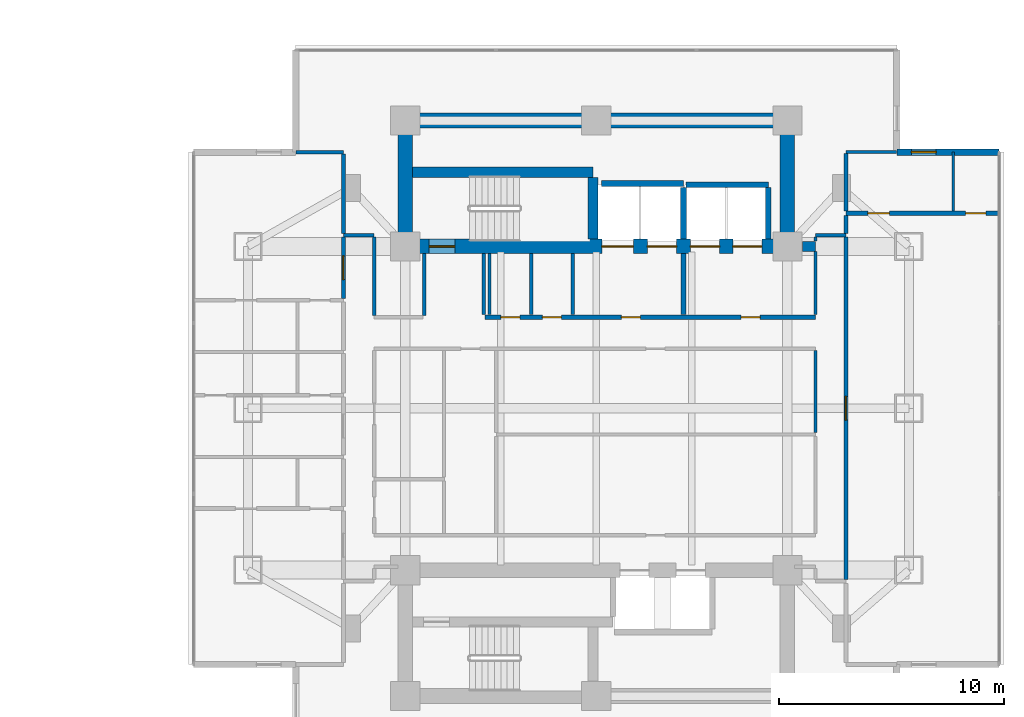
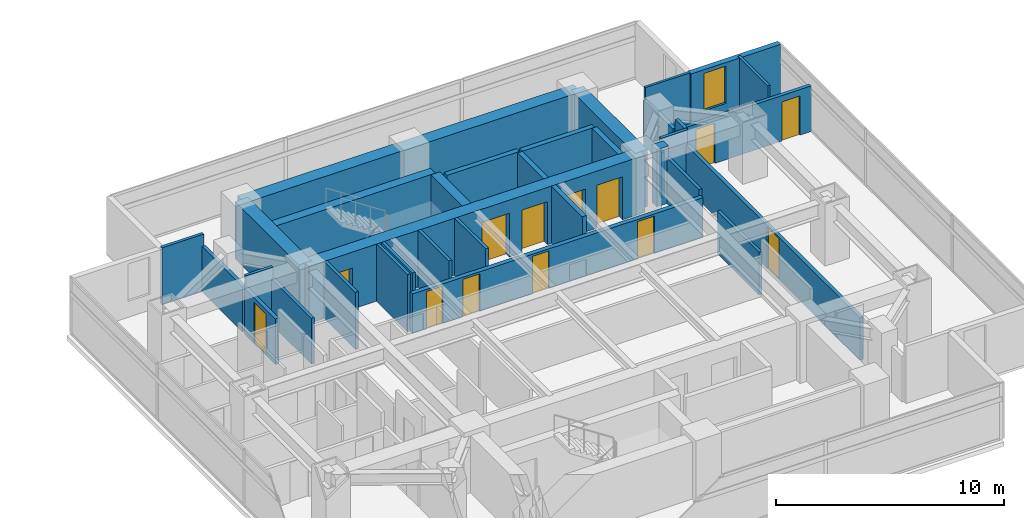
# One storey, part 18 of 25: 34 walls, 13 doors, 1 window, 14 openings.
"""IFC4 building model written with IfcOpenShell, lengths in metres."""

from ifc_helpers import new_model, si_unit, direction, frame, frame_2d, origin, place, context, subcontext, project, spatial, rectangle, extrude, material, layer, layer_set, type_object, element, fill, save


model = new_model("IFC4")

# Units and contexts
model_context = context("Model", 3, precision=1e-05, world=origin(), true_north=direction((0.0, 1.0)))
body_context = subcontext(model_context, "Body", "Model", "MODEL_VIEW")
ifc_project = project(units=[si_unit("LENGTHUNIT", "METRE"), si_unit("AREAUNIT", "SQUARE_METRE"), si_unit("VOLUMEUNIT", "CUBIC_METRE"), si_unit("PLANEANGLEUNIT", "RADIAN"), si_unit("MASSUNIT", "GRAM", prefix="KILO")], contexts=[model_context])

# Site, building, storey
site_placement = place(None, origin())
site = spatial("IfcSite", under=ifc_project, at=site_placement, CompositionType="ELEMENT")
building_placement = place(site_placement, origin())
building = spatial("IfcBuilding", under=site, at=building_placement, Name="Mirazonda Arch Towers", CompositionType="ELEMENT")
storey_placement = place(building_placement, frame((0.0, 0.0, 58.699951171875)))
storey = spatial("IfcBuildingStorey", under=building, at=storey_placement, Name="L16", CompositionType="ELEMENT", Elevation=58.699951171875)

# Walls
ifc_material_1 = material(Name="Concrete C50/60", Category="concrete")
ifc_layer_1 = layer(ifc_material_1, 0.449951171875, Name="WALL-CORE-450")
ifc_layer_set_1 = layer_set([ifc_layer_1], Name="Concrete C50/60")
wall_type_1 = type_object("IfcWallType", Name="WALL-CORE-450", PredefinedType="SHEAR", material=ifc_layer_set_1)
wall_1_placement = place(storey_placement, frame((85.6650390625, 35.199951171875, 0.0), z_axis=(0.0, 0.0, 1.0), x_axis=(1.0, 0.0, 0.0)))
element("IfcWall", 1, at=wall_1_placement, inside=storey, type_object=wall_type_1, Name="L16 Stair Core Shear Wall 045", PredefinedType="SHEAR", context=body_context, shape_type="SweptSolid", body=[
    extrude(rectangle(XDim=0.5849609375, YDim=0.449951171875, at=frame_2d((0.29248046875, 0.0))), origin(), (0.0, 0.0, 1.0), 3.06005859375),
])
wall_2_placement = place(storey_placement, frame((68.320068359375, 38.5, 0.0), z_axis=(0.0, 0.0, 1.0), x_axis=(1.0, 0.0, 0.0)))
element("IfcWall", 2, at=wall_2_placement, inside=storey, type_object=wall_type_1, Name="L16 Stair Core Shear Wall 052", PredefinedType="SHEAR", context=body_context, shape_type="SweptSolid", body=[
    extrude(rectangle(XDim=8.0400390625, YDim=0.449951171875, at=frame_2d((4.02001953125, 0.0))), origin(), (0.0, 0.0, 1.0), 3.06005859375),
])
wall_3_placement = place(storey_placement, frame((76.360107421875, 35.52001953125, 0.0), z_axis=(0.0, 0.0, 1.0), x_axis=(0.0, 1.0, 0.0)))
element("IfcWall", 3, at=wall_3_placement, inside=storey, type_object=wall_type_1, Name="L16 Stair Core Shear Wall 142", PredefinedType="SHEAR", context=body_context, shape_type="SweptSolid", body=[
    extrude(rectangle(XDim=2.744873046875, YDim=0.449951171875, at=frame_2d((1.37255859375, 0.0))), origin(), (0.0, 0.0, 1.0), 3.06005859375),
])
ifc_material_2 = material(Name="Concrete C60/75", Category="concrete")
ifc_layer_2 = layer(ifc_material_2, 0.64990234375, Name="WALL-CORE-650")
ifc_layer_set_2 = layer_set([ifc_layer_2], Name="Concrete C60/75")
wall_type_2 = type_object("IfcWallType", Name="WALL-CORE-650", PredefinedType="SHEAR", material=ifc_layer_set_2)
wall_4_placement = place(storey_placement, frame((68.0, 40.800048828125, 0.0), z_axis=(0.0, 0.0, 1.0), x_axis=(1.0, 0.0, 0.0)))
element("IfcWall", 4, at=wall_4_placement, inside=storey, type_object=wall_type_2, Name="L16 T2N-N Core Shear Wall", PredefinedType="SHEAR", context=body_context, shape_type="SweptSolid", body=[
    extrude(rectangle(XDim=17.0, YDim=0.64990234375, at=frame_2d((8.5, 0.0))), origin(), (0.0, 0.0, 1.0), 3.06005859375),
])
for number, where, z_axis, x_axis, name in (
    (5, (68.0, 35.199951171875, 0.0), (0.0, 0.0, 1.0), (0.0, 1.0, 0.0), "L16 T2N-W Core Shear Wall"),
    (6, (85.0, 35.199951171875, 0.0), (0.0, 0.0, 1.0), (0.0, 1.0, 0.0), "L16 T2N-E Core Shear Wall"),
):
    element("IfcWall", number, at=place(storey_placement, frame(where, z_axis=z_axis, x_axis=x_axis)), inside=storey, type_object=wall_type_2, Name=name, PredefinedType="SHEAR", context=body_context, shape_type="SweptSolid", body=[
        extrude(rectangle(XDim=5.60009765625, YDim=0.64990234375, at=frame_2d((2.800048828125, 0.0))), origin(), (0.0, 0.0, 1.0), 3.06005859375),
    ])

# Wall, openings, doors
wall_5_placement = place(storey_placement, frame((68.0, 35.199951171875, 0.0), z_axis=(0.0, 0.0, 1.0), x_axis=(1.0, 0.0, 0.0)))
wall_5 = element("IfcWall", 7, at=wall_5_placement, inside=storey, type_object=wall_type_2, Name="L16 T2N-S Core Shear Wall", PredefinedType="SHEAR", context=body_context, shape_type="SweptSolid", body=[
    extrude(rectangle(XDim=17.0, YDim=0.64990234375, at=frame_2d((8.5, 0.0))), origin(), (0.0, 0.0, 1.0), 3.06005859375),
])
opening_1_placement = place(wall_5_placement, frame((1.06005859375, 0.0, 0.0)))
opening_1 = element("IfcOpeningElement", 8, at=opening_1_placement, cuts=wall_5, Name="Opening DR-135", PredefinedType="OPENING", context=body_context, shape_type="SweptSolid", body=[
    extrude(rectangle(XDim=1.14990234375, YDim=2.199951171875, at=frame_2d((0.574951171875, 1.10009765625))), frame((0.0, 0.3349609375, 0.0), z_axis=(0.0, -1.0, 0.0), x_axis=(1.0, 0.0, 0.0)), (0.0, 0.0, 1.0), 0.669921875),
])
opening_2_placement = place(wall_5_placement, frame((8.75, 0.0, 0.0)))
opening_2 = element("IfcOpeningElement", 9, at=opening_2_placement, cuts=wall_5, Name="Opening LD-112", PredefinedType="OPENING", context=body_context, shape_type="SweptSolid", body=[
    extrude(rectangle(XDim=1.39990234375, YDim=2.35009765625, at=frame_2d((0.699951171875, 1.175048828125))), frame((0.0, 0.3349609375, 0.0), z_axis=(0.0, -1.0, 0.0), x_axis=(1.0, 0.0, 0.0)), (0.0, 0.0, 1.0), 0.669921875),
])
opening_3_placement = place(wall_5_placement, frame((10.77001953125, 0.0, 0.0)))
opening_3 = element("IfcOpeningElement", 10, at=opening_3_placement, cuts=wall_5, Name="Opening LD-111", PredefinedType="OPENING", context=body_context, shape_type="SweptSolid", body=[
    extrude(rectangle(XDim=1.300048828125, YDim=2.300048828125, at=frame_2d((0.64990234375, 1.14990234375))), frame((0.0, 0.3349609375, 0.0), z_axis=(0.0, -1.0, 0.0), x_axis=(1.0, 0.0, 0.0)), (0.0, 0.0, 1.0), 0.669921875),
])
opening_4_placement = place(wall_5_placement, frame((12.68994140625, 0.0, 0.0)))
opening_4 = element("IfcOpeningElement", 11, at=opening_4_placement, cuts=wall_5, Name="Opening LD-111", PredefinedType="OPENING", context=body_context, shape_type="SweptSolid", body=[
    extrude(rectangle(XDim=1.300048828125, YDim=2.300048828125, at=frame_2d((0.64990234375, 1.14990234375))), frame((0.0, 0.3349609375, 0.0), z_axis=(0.0, -1.0, 0.0), x_axis=(1.0, 0.0, 0.0)), (0.0, 0.0, 1.0), 0.669921875),
])
opening_5_placement = place(wall_5_placement, frame((14.570068359375, 0.0, 0.0)))
opening_5 = element("IfcOpeningElement", 12, at=opening_5_placement, cuts=wall_5, Name="Opening LD-111", PredefinedType="OPENING", context=body_context, shape_type="SweptSolid", body=[
    extrude(rectangle(XDim=1.300048828125, YDim=2.300048828125, at=frame_2d((0.64990234375, 1.14990234375))), frame((0.0, 0.3349609375, 0.0), z_axis=(0.0, -1.0, 0.0), x_axis=(1.0, 0.0, 0.0)), (0.0, 0.0, 1.0), 0.669921875),
])
ifc_material_3 = material(Name="Architectural Brushed Steel S355", Category="steel")
door_type_1 = type_object("IfcDoorType", Name="DOOR-LIFT-FFL-1400", OperationType="NOTDEFINED", PredefinedType="DOOR", material=ifc_material_3)
door_1_placement = place(opening_2_placement, origin())
door_1 = element("IfcDoor", 13, at=door_1_placement, inside=storey, type_object=door_type_1, Name="L16 Lift Landing Sliding Door FFL-T2", OperationType="DOUBLE_DOOR_SLIDING", OverallHeight=2.35009765625, OverallWidth=1.39990234375, PredefinedType="DOOR", context=body_context, shape_type="SweptSolid", body=[
    extrude(rectangle(XDim=1.39990234375, YDim=2.35009765625, at=frame_2d((0.699951171875, 1.175048828125))), frame((0.0, 0.02490234375, 0.0), z_axis=(0.0, -1.0, 0.0), x_axis=(1.0, 0.0, 0.0)), (0.0, 0.0, 1.0), 0.050048828125),
])
fill(opening_2, door_1)
door_type_2 = type_object("IfcDoorType", Name="DOOR-LIFT-LAND-1300", OperationType="NOTDEFINED", PredefinedType="DOOR", material=ifc_material_3)
door_2_placement = place(opening_3_placement, origin())
door_2 = element("IfcDoor", 14, at=door_2_placement, inside=storey, type_object=door_type_2, Name="L16 Lift Landing Sliding Door SVL-T2", OperationType="DOUBLE_DOOR_SLIDING", OverallHeight=2.300048828125, OverallWidth=1.300048828125, PredefinedType="DOOR", context=body_context, shape_type="SweptSolid", body=[
    extrude(rectangle(XDim=1.300048828125, YDim=2.300048828125, at=frame_2d((0.64990234375, 1.14990234375))), frame((0.0, 0.02490234375, 0.0), z_axis=(0.0, -1.0, 0.0), x_axis=(1.0, 0.0, 0.0)), (0.0, 0.0, 1.0), 0.050048828125),
])
fill(opening_3, door_2)
door_3_placement = place(opening_4_placement, origin())
door_3 = element("IfcDoor", 15, at=door_3_placement, inside=storey, type_object=door_type_2, Name="L16 Lift Landing Sliding Door PL-T2L1", OperationType="DOUBLE_DOOR_SLIDING", OverallHeight=2.300048828125, OverallWidth=1.300048828125, PredefinedType="DOOR", context=body_context, shape_type="SweptSolid", body=[
    extrude(rectangle(XDim=1.300048828125, YDim=2.300048828125, at=frame_2d((0.64990234375, 1.14990234375))), frame((0.0, 0.02490234375, 0.0), z_axis=(0.0, -1.0, 0.0), x_axis=(1.0, 0.0, 0.0)), (0.0, 0.0, 1.0), 0.050048828125),
])
fill(opening_4, door_3)
door_4_placement = place(opening_5_placement, origin())
door_4 = element("IfcDoor", 16, at=door_4_placement, inside=storey, type_object=door_type_2, Name="L16 Lift Landing Sliding Door PL-T2L2", OperationType="DOUBLE_DOOR_SLIDING", OverallHeight=2.300048828125, OverallWidth=1.300048828125, PredefinedType="DOOR", context=body_context, shape_type="SweptSolid", body=[
    extrude(rectangle(XDim=1.300048828125, YDim=2.300048828125, at=frame_2d((0.64990234375, 1.14990234375))), frame((0.0, 0.02490234375, 0.0), z_axis=(0.0, -1.0, 0.0), x_axis=(1.0, 0.0, 0.0)), (0.0, 0.0, 1.0), 0.050048828125),
])
fill(opening_5, door_4)
door_type_3 = type_object("IfcDoorType", Name="DOOR-STAIR-FD90-1150", OperationType="NOTDEFINED", PredefinedType="DOOR", material=ifc_material_3)
door_5_placement = place(opening_1_placement, origin())
door_5 = element("IfcDoor", 17, at=door_5_placement, inside=storey, type_object=door_type_3, Name="L16 East Protected Stair North Door", OperationType="SINGLE_SWING_LEFT", OverallHeight=2.199951171875, OverallWidth=1.14990234375, PredefinedType="DOOR", context=body_context, shape_type="SweptSolid", body=[
    extrude(rectangle(XDim=1.14990234375, YDim=2.199951171875, at=frame_2d((0.574951171875, 1.10009765625))), frame((0.0, 0.02490234375, 0.0), z_axis=(0.0, -1.0, 0.0), x_axis=(1.0, 0.0, 0.0)), (0.0, 0.0, 1.0), 0.050048828125),
])
fill(opening_1, door_5)

# Wall, opening, window
ifc_material_4 = material(Name="Precast Concrete C40/50", Category="concrete")
ifc_layer_3 = layer(ifc_material_4, 0.280029296875, Name="WALL-EXT-WALL-280")
ifc_layer_set_3 = layer_set([ifc_layer_3], Name="Precast Concrete C40/50")
wall_type_3 = type_object("IfcWallType", Name="WALL-EXT-WALL-280", PredefinedType="SOLIDWALL", material=ifc_layer_set_3)
wall_6_placement = place(storey_placement, frame((94.416015625, 39.396484375, 0.0), z_axis=(0.0, 0.0, 1.0), x_axis=(-1.0, 0.0, 0.0)))
wall_6 = element("IfcWall", 18, at=wall_6_placement, inside=storey, type_object=wall_type_3, Name="L16 T2 Corner Notch Return Wall WL-L16-T2-CNE2", PredefinedType="SOLIDWALL", context=body_context, shape_type="SweptSolid", body=[
    extrude(rectangle(XDim=4.5458984375, YDim=0.280029296875, at=frame_2d((2.27294921875, 0.0))), origin(), (0.0, 0.0, 1.0), 3.0400390625),
])
opening_6_placement = place(wall_6_placement, frame((2.7958984375, 0.0, 0.85009765625)))
opening_6 = element("IfcOpeningElement", 19, at=opening_6_placement, cuts=wall_6, Name="Opening WN-108", PredefinedType="OPENING", context=body_context, shape_type="SweptSolid", body=[
    extrude(rectangle(XDim=1.10009765625, YDim=2.0, at=frame_2d((0.550048828125, 1.0))), frame((0.0, 0.14990234375, 0.0), z_axis=(0.0, -1.0, 0.0), x_axis=(1.0, 0.0, 0.0)), (0.0, 0.0, 1.0), 0.300048828125),
])
ifc_material_5 = material(Name="Insulated Low-E Solar Glass", Category="glass")
window_type = type_object("IfcWindowType", Name="WIN-NOTCH-1100x2000", PartitioningType="SINGLE_PANEL", PredefinedType="WINDOW", material=ifc_material_5)
window_placement = place(opening_6_placement, origin())
window = element("IfcWindow", 20, at=window_placement, inside=storey, type_object=window_type, Name="L16 Punched Facade Window WN-L16-T2-CNE2", OverallHeight=2.0, OverallWidth=1.10009765625, PartitioningType="SINGLE_PANEL", PredefinedType="WINDOW", context=body_context, shape_type="SweptSolid", body=[
    extrude(rectangle(XDim=1.10009765625, YDim=2.0, at=frame_2d((0.550048828125, 1.0))), frame((0.0, 0.030029296875, 0.0), z_axis=(0.0, -1.0, 0.0), x_axis=(1.0, 0.0, 0.0)), (0.0, 0.0, 1.0), 0.06005859375),
])
fill(opening_6, window)

# Wall, openings, doors
ifc_material_6 = material(Name="Concrete C40/50", Category="concrete")
ifc_layer_4 = layer(ifc_material_6, 0.219970703125, Name="WALL-FFL-220")
ifc_layer_set_4 = layer_set([ifc_layer_4], Name="Concrete C40/50")
wall_type_4 = type_object("IfcWallType", Name="WALL-FFL-220", PredefinedType="SOLIDWALL", material=ifc_layer_set_4)
wall_7_placement = place(storey_placement, frame((71.550048828125, 32.050048828125, 0.0), z_axis=(0.0, 0.0, 1.0), x_axis=(1.0, 0.0, 0.0)))
wall_7 = element("IfcWall", 21, at=wall_7_placement, inside=storey, type_object=wall_type_4, Name="L16 Interior Partition 039", PredefinedType="SOLIDWALL", context=body_context, shape_type="SweptSolid", body=[
    extrude(rectangle(XDim=14.699951171875, YDim=0.219970703125, at=frame_2d((7.35009765625, 0.0))), origin(), (0.0, 0.0, 1.0), 2.125),
])
opening_7_placement = place(wall_7_placement, frame((11.389892578125, 0.0, 0.0)))
opening_7 = element("IfcOpeningElement", 22, at=opening_7_placement, cuts=wall_7, Name="Opening DR-128", PredefinedType="OPENING", context=body_context, shape_type="SweptSolid", body=[
    extrude(rectangle(XDim=0.85009765625, YDim=2.010009765625, at=frame_2d((0.425048828125, 1.0048828125))), frame((0.0, 0.119873046875, 0.0), z_axis=(0.0, -1.0, 0.0), x_axis=(1.0, 0.0, 0.0)), (0.0, 0.0, 1.0), 0.239990234375),
])
opening_8_placement = place(wall_7_placement, frame((6.06494140625, 0.0, 0.0)))
opening_8 = element("IfcOpeningElement", 23, at=opening_8_placement, cuts=wall_7, Name="Opening DR-128", PredefinedType="OPENING", context=body_context, shape_type="SweptSolid", body=[
    extrude(rectangle(XDim=0.85009765625, YDim=2.010009765625, at=frame_2d((0.425048828125, 1.0048828125))), frame((0.0, 0.119873046875, 0.0), z_axis=(0.0, -1.0, 0.0), x_axis=(1.0, 0.0, 0.0)), (0.0, 0.0, 1.0), 0.239990234375),
])
opening_9_placement = place(wall_7_placement, frame((0.699951171875, 0.0, 0.0)))
opening_9 = element("IfcOpeningElement", 24, at=opening_9_placement, cuts=wall_7, Name="Opening DR-128", PredefinedType="OPENING", context=body_context, shape_type="SweptSolid", body=[
    extrude(rectangle(XDim=0.85009765625, YDim=2.010009765625, at=frame_2d((0.425048828125, 1.0048828125))), frame((0.0, 0.119873046875, 0.0), z_axis=(0.0, -1.0, 0.0), x_axis=(1.0, 0.0, 0.0)), (0.0, 0.0, 1.0), 0.239990234375),
])
opening_10_placement = place(wall_7_placement, frame((2.550048828125, 0.0, 0.0)))
opening_10 = element("IfcOpeningElement", 25, at=opening_10_placement, cuts=wall_7, Name="Opening DR-128", PredefinedType="OPENING", context=body_context, shape_type="SweptSolid", body=[
    extrude(rectangle(XDim=0.85009765625, YDim=2.010009765625, at=frame_2d((0.425048828125, 1.0048828125))), frame((0.0, 0.119873046875, 0.0), z_axis=(0.0, -1.0, 0.0), x_axis=(1.0, 0.0, 0.0)), (0.0, 0.0, 1.0), 0.239990234375),
])
door_type_4 = type_object("IfcDoorType", Name="DOOR-RISER-FD60-850", OperationType="NOTDEFINED", PredefinedType="DOOR", material=ifc_material_3)
door_6_placement = place(opening_7_placement, origin())
door_6 = element("IfcDoor", 26, at=door_6_placement, inside=storey, type_object=door_type_4, Name="L16 East Passenger Lift Lobby Door", OperationType="SINGLE_SWING_RIGHT", OverallHeight=2.010009765625, OverallWidth=0.85009765625, PredefinedType="DOOR", context=body_context, shape_type="SweptSolid", body=[
    extrude(rectangle(XDim=0.85009765625, YDim=2.010009765625, at=frame_2d((0.425048828125, 1.0048828125))), frame((0.0, 0.02490234375, 0.0), z_axis=(0.0, -1.0, 0.0), x_axis=(1.0, 0.0, 0.0)), (0.0, 0.0, 1.0), 0.050048828125),
])
fill(opening_7, door_6)
door_7_placement = place(opening_8_placement, origin())
door_7 = element("IfcDoor", 27, at=door_7_placement, inside=storey, type_object=door_type_4, Name="L16 East Firefighting Lift Lobby Door", OperationType="SINGLE_SWING_RIGHT", OverallHeight=2.010009765625, OverallWidth=0.85009765625, PredefinedType="DOOR", context=body_context, shape_type="SweptSolid", body=[
    extrude(rectangle(XDim=0.85009765625, YDim=2.010009765625, at=frame_2d((0.425048828125, 1.0048828125))), frame((0.0, 0.02490234375, 0.0), z_axis=(0.0, -1.0, 0.0), x_axis=(1.0, 0.0, 0.0)), (0.0, 0.0, 1.0), 0.050048828125),
])
fill(opening_8, door_7)
door_8_placement = place(opening_9_placement, origin())
door_8 = element("IfcDoor", 28, at=door_8_placement, inside=storey, type_object=door_type_4, Name="L16 Tower 2 Electrical Room Door", OperationType="SINGLE_SWING_LEFT", OverallHeight=2.010009765625, OverallWidth=0.85009765625, PredefinedType="DOOR", context=body_context, shape_type="SweptSolid", body=[
    extrude(rectangle(XDim=0.85009765625, YDim=2.010009765625, at=frame_2d((0.425048828125, 1.0048828125))), frame((0.0, 0.02490234375, 0.0), z_axis=(0.0, -1.0, 0.0), x_axis=(1.0, 0.0, 0.0)), (0.0, 0.0, 1.0), 0.050048828125),
])
fill(opening_9, door_8)
door_9_placement = place(opening_10_placement, origin())
door_9 = element("IfcDoor", 29, at=door_9_placement, inside=storey, type_object=door_type_4, Name="L16 Tower 2 Cleaners Store Door", OperationType="SINGLE_SWING_RIGHT", OverallHeight=2.010009765625, OverallWidth=0.85009765625, PredefinedType="DOOR", context=body_context, shape_type="SweptSolid", body=[
    extrude(rectangle(XDim=0.85009765625, YDim=2.010009765625, at=frame_2d((0.425048828125, 1.0048828125))), frame((0.0, 0.02490234375, 0.0), z_axis=(0.0, -1.0, 0.0), x_axis=(1.0, 0.0, 0.0)), (0.0, 0.0, 1.0), 0.050048828125),
])
fill(opening_10, door_9)

# Walls
wall_8_placement = place(storey_placement, frame((80.3798828125, 32.169921875, 0.0), z_axis=(0.0, 0.0, 1.0), x_axis=(0.0, 1.0, 0.0)))
element("IfcWall", 30, at=wall_8_placement, inside=storey, type_object=wall_type_4, Name="L16 Interior Partition 144", PredefinedType="SOLIDWALL", context=body_context, shape_type="SweptSolid", body=[
    extrude(rectangle(XDim=2.7099609375, YDim=0.219970703125, at=frame_2d((1.35498046875, 0.0))), origin(), (0.0, 0.0, 1.0), 3.06005859375),
])
ifc_material_7 = material(Name="Fire-Rated Gypsum Stud Partition")
ifc_layer_5 = layer(ifc_material_7, 0.14990234375, Name="WALL-PART-CORR-150")
ifc_layer_set_5 = layer_set([ifc_layer_5], Name="Fire-Rated Gypsum Stud Partition")
wall_type_5 = type_object("IfcWallType", Name="WALL-PART-CORR-150", PredefinedType="PARTITIONING", material=ifc_layer_set_5)
wall_9_placement = place(storey_placement, frame((65.25, 35.699951171875, 0.0), z_axis=(0.0, 0.0, 1.0), x_axis=(1.0, 0.0, 0.0)))
element("IfcWall", 31, at=wall_9_placement, inside=storey, type_object=wall_type_5, Name="L16 Interior Partition 046", PredefinedType="PARTITIONING", context=body_context, shape_type="SweptSolid", body=[
    extrude(rectangle(XDim=1.3701171875, YDim=0.14990234375, at=frame_2d((0.68505859375, 0.0))), origin(), (0.0, 0.0, 1.0), 3.06005859375),
])
wall_10_placement = place(storey_placement, frame((86.25, 35.699951171875, 0.0), z_axis=(0.0, 0.0, 1.0), x_axis=(1.0, 0.0, 0.0)))
element("IfcWall", 32, at=wall_10_placement, inside=storey, type_object=wall_type_5, Name="L16 Interior Partition 047", PredefinedType="PARTITIONING", context=body_context, shape_type="SweptSolid", body=[
    extrude(rectangle(XDim=1.35009765625, YDim=0.14990234375, at=frame_2d((0.675048828125, 0.0))), origin(), (0.0, 0.0, 1.0), 3.06005859375),
])
wall_11_placement = place(storey_placement, frame((63.14990234375, 39.39697265625, 0.0), z_axis=(0.0, 0.0, 1.0), x_axis=(1.0, 0.0, 0.0)))
element("IfcWall", 33, at=wall_11_placement, inside=storey, type_object=wall_type_5, Name="L16 Interior Partition 053", PredefinedType="PARTITIONING", context=body_context, shape_type="SweptSolid", body=[
    extrude(rectangle(XDim=2.10009765625, YDim=0.14990234375, at=frame_2d((1.050048828125, 0.0))), origin(), (0.0, 0.0, 1.0), 3.06005859375),
])
wall_12_placement = place(storey_placement, frame((66.6201171875, 32.135009765625, 0.0), z_axis=(0.0, 0.0, 1.0), x_axis=(0.0, 1.0, 0.0)))
element("IfcWall", 34, at=wall_12_placement, inside=storey, type_object=wall_type_5, Name="L16 Interior Partition 131", PredefinedType="PARTITIONING", context=body_context, shape_type="SweptSolid", body=[
    extrude(rectangle(XDim=3.47998046875, YDim=0.14990234375, at=frame_2d((1.739990234375, 0.0))), origin(), (0.0, 0.0, 1.0), 2.4521484375),
])
wall_13_placement = place(storey_placement, frame((68.85009765625, 32.135009765625, 0.0), z_axis=(0.0, 0.0, 1.0), x_axis=(0.0, 1.0, 0.0)))
element("IfcWall", 35, at=wall_13_placement, inside=storey, type_object=wall_type_5, Name="L16 Interior Partition 132", PredefinedType="PARTITIONING", context=body_context, shape_type="SweptSolid", body=[
    extrude(rectangle(XDim=2.744873046875, YDim=0.14990234375, at=frame_2d((1.37255859375, 0.0))), origin(), (0.0, 0.0, 1.0), 3.06005859375),
])
for number, where, z_axis, x_axis, name in (
    (36, (71.5, 32.169921875, 0.0), (0.0, 0.0, 1.0), (0.0, 1.0, 0.0), "L16 Interior Partition 135"),
    (37, (71.75, 32.169921875, 0.0), (0.0, 0.0, 1.0), (0.0, 1.0, 0.0), "L16 Interior Partition 136"),
    (38, (73.60009765625, 32.169921875, 0.0), (0.0, 0.0, 1.0), (0.0, 1.0, 0.0), "L16 Interior Partition 139"),
    (39, (75.449951171875, 32.169921875, 0.0), (0.0, 0.0, 1.0), (0.0, 1.0, 0.0), "L16 Interior Partition 140"),
):
    element("IfcWall", number, at=place(storey_placement, frame(where, z_axis=z_axis, x_axis=x_axis)), inside=storey, type_object=wall_type_5, Name=name, PredefinedType="PARTITIONING", context=body_context, shape_type="SweptSolid", body=[
        extrude(rectangle(XDim=2.7099609375, YDim=0.14990234375, at=frame_2d((1.35498046875, 0.0))), origin(), (0.0, 0.0, 1.0), 3.06005859375),
    ])
wall_14_placement = place(storey_placement, frame((86.25, 26.9169921875, 0.0), z_axis=(0.0, 0.0, 1.0), x_axis=(0.0, 1.0, 0.0)))
element("IfcWall", 40, at=wall_14_placement, inside=storey, type_object=wall_type_5, Name="L16 Interior Partition 150", PredefinedType="PARTITIONING", context=body_context, shape_type="SweptSolid", body=[
    extrude(rectangle(XDim=3.64794921875, YDim=0.14990234375, at=frame_2d((1.823974609375, 0.0))), origin(), (0.0, 0.0, 1.0), 2.279052734375),
])
wall_15_placement = place(storey_placement, frame((86.25, 32.169921875, 0.0), z_axis=(0.0, 0.0, 1.0), x_axis=(0.0, 1.0, 0.0)))
element("IfcWall", 41, at=wall_15_placement, inside=storey, type_object=wall_type_5, Name="L16 Interior Partition 151", PredefinedType="PARTITIONING", context=body_context, shape_type="SweptSolid", body=[
    extrude(rectangle(XDim=2.795166015625, YDim=0.14990234375, at=frame_2d((1.3974609375, 0.0))), origin(), (0.0, 0.0, 1.0), 2.4521484375),
])
wall_16_placement = place(storey_placement, frame((86.25, 35.43505859375, 0.0), z_axis=(0.0, 0.0, 1.0), x_axis=(0.0, 1.0, 0.0)))
element("IfcWall", 42, at=wall_16_placement, inside=storey, type_object=wall_type_5, Name="L16 Interior Partition 152", PredefinedType="PARTITIONING", context=body_context, shape_type="SweptSolid", body=[
    extrude(rectangle(XDim=0.179931640625, YDim=0.14990234375, at=frame_2d((0.08984375, 0.0))), origin(), (0.0, 0.0, 1.0), 2.4521484375),
])

# Wall, openings, doors
ifc_material_8 = material(Name="Fire-Rated Gypsum Twin-Stud Assembly")
ifc_layer_6 = layer(ifc_material_8, 0.179931640625, Name="WALL-PART-DEMISE-180")
ifc_layer_set_6 = layer_set([ifc_layer_6], Name="Fire-Rated Gypsum Twin-Stud Assembly")
wall_type_6 = type_object("IfcWallType", Name="WALL-PART-DEMISE-180", PredefinedType="PARTITIONING", material=ifc_layer_set_6)
wall_17_placement = place(storey_placement, frame((87.60009765625, 36.677001953125, 0.0), z_axis=(0.0, 0.0, 1.0), x_axis=(1.0, 0.0, 0.0)))
wall_17 = element("IfcWall", 43, at=wall_17_placement, inside=storey, type_object=wall_type_6, Name="L16 Interior Partition 048", PredefinedType="PARTITIONING", context=body_context, shape_type="SweptSolid", body=[
    extrude(rectangle(XDim=6.81591796875, YDim=0.179931640625, at=frame_2d((3.407958984375, 0.0))), origin(), (0.0, 0.0, 1.0), 2.43603515625),
])
opening_11_placement = place(wall_17_placement, frame((0.98291015625, 0.0, 0.0)))
opening_11 = element("IfcOpeningElement", 44, at=opening_11_placement, cuts=wall_17, Name="Opening DR-104", PredefinedType="OPENING", context=body_context, shape_type="SweptSolid", body=[
    extrude(rectangle(XDim=0.949951171875, YDim=2.14990234375, at=frame_2d((0.47509765625, 1.074951171875))), frame((0.0, 0.099853515625, 0.0), z_axis=(0.0, -1.0, 0.0), x_axis=(1.0, 0.0, 0.0)), (0.0, 0.0, 1.0), 0.199951171875),
])
opening_12_placement = place(wall_17_placement, frame((5.325927734375, 0.0, 0.0)))
opening_12 = element("IfcOpeningElement", 45, at=opening_12_placement, cuts=wall_17, Name="Opening DR-120", PredefinedType="OPENING", context=body_context, shape_type="SweptSolid", body=[
    extrude(rectangle(XDim=0.89990234375, YDim=2.10009765625, at=frame_2d((0.449951171875, 1.050048828125))), frame((0.0, 0.099853515625, 0.0), z_axis=(0.0, -1.0, 0.0), x_axis=(1.0, 0.0, 0.0)), (0.0, 0.0, 1.0), 0.199951171875),
])
door_type_5 = type_object("IfcDoorType", Name="DOOR-ROOM-950", OperationType="NOTDEFINED", PredefinedType="DOOR", material=ifc_material_3)
door_10_placement = place(opening_11_placement, origin())
door_10 = element("IfcDoor", 46, at=door_10_placement, inside=storey, type_object=door_type_5, Name="L16 Suite Bedroom 1 Door", OperationType="SINGLE_SWING_LEFT", OverallHeight=2.14990234375, OverallWidth=0.949951171875, PredefinedType="DOOR", context=body_context, shape_type="SweptSolid", body=[
    extrude(rectangle(XDim=0.949951171875, YDim=2.14990234375, at=frame_2d((0.47509765625, 1.074951171875))), frame((0.0, 0.02490234375, 0.0), z_axis=(0.0, -1.0, 0.0), x_axis=(1.0, 0.0, 0.0)), (0.0, 0.0, 1.0), 0.050048828125),
])
fill(opening_11, door_10)
door_type_6 = type_object("IfcDoorType", Name="DOOR-WC-900", OperationType="NOTDEFINED", PredefinedType="DOOR", material=ifc_material_3)
door_11_placement = place(opening_12_placement, origin())
door_11 = element("IfcDoor", 47, at=door_11_placement, inside=storey, type_object=door_type_6, Name="L16 Suite En-Suite Bathroom 1 Door", OperationType="SINGLE_SWING_RIGHT", OverallHeight=2.10009765625, OverallWidth=0.89990234375, PredefinedType="DOOR", context=body_context, shape_type="SweptSolid", body=[
    extrude(rectangle(XDim=0.89990234375, YDim=2.10009765625, at=frame_2d((0.449951171875, 1.050048828125))), frame((0.0, 0.02490234375, 0.0), z_axis=(0.0, -1.0, 0.0), x_axis=(1.0, 0.0, 0.0)), (0.0, 0.0, 1.0), 0.050048828125),
])
fill(opening_12, door_11)

# Wall, opening, door
wall_18_placement = place(storey_placement, frame((65.25, 32.89306640625, 0.0), z_axis=(0.0, 0.0, 1.0), x_axis=(0.0, 1.0, 0.0)))
wall_18 = element("IfcWall", 48, at=wall_18_placement, inside=storey, type_object=wall_type_6, Name="L16 Interior Partition 126", PredefinedType="PARTITIONING", context=body_context, shape_type="SweptSolid", body=[
    extrude(rectangle(XDim=2.721923828125, YDim=0.179931640625, at=frame_2d((1.36083984375, 0.0))), origin(), (0.0, 0.0, 1.0), 2.4521484375),
])
opening_13_placement = place(wall_18_placement, frame((0.8359375, 0.0, 0.0)))
opening_13 = element("IfcOpeningElement", 49, at=opening_13_placement, cuts=wall_18, Name="Opening DR-121", PredefinedType="OPENING", context=body_context, shape_type="SweptSolid", body=[
    extrude(rectangle(XDim=1.050048828125, YDim=2.199951171875, at=frame_2d((0.52490234375, 1.10009765625))), frame((0.0, 0.099853515625, 0.0), z_axis=(0.0, -1.0, 0.0), x_axis=(1.0, 0.0, 0.0)), (0.0, 0.0, 1.0), 0.199951171875),
])
door_type_7 = type_object("IfcDoorType", Name="DOOR-SUITE-FD60-1050", OperationType="NOTDEFINED", PredefinedType="DOOR", material=ifc_material_3)
door_12_placement = place(opening_13_placement, origin())
door_12 = element("IfcDoor", 50, at=door_12_placement, inside=storey, type_object=door_type_7, Name="L16 King Hotel Guestroom 3 Door", OperationType="SINGLE_SWING_LEFT", OverallHeight=2.199951171875, OverallWidth=1.050048828125, PredefinedType="DOOR", context=body_context, shape_type="SweptSolid", body=[
    extrude(rectangle(XDim=1.050048828125, YDim=2.199951171875, at=frame_2d((0.52490234375, 1.10009765625))), frame((0.0, 0.02490234375, 0.0), z_axis=(0.0, -1.0, 0.0), x_axis=(1.0, 0.0, 0.0)), (0.0, 0.0, 1.0), 0.050048828125),
])
fill(opening_13, door_12)

# Wall
wall_19_placement = place(storey_placement, frame((65.25, 35.784912109375, 0.0), z_axis=(0.0, 0.0, 1.0), x_axis=(0.0, 1.0, 0.0)))
element("IfcWall", 51, at=wall_19_placement, inside=storey, type_object=wall_type_6, Name="L16 Interior Partition 127", PredefinedType="PARTITIONING", context=body_context, shape_type="SweptSolid", body=[
    extrude(rectangle(XDim=3.527099609375, YDim=0.179931640625, at=frame_2d((1.763671875, 0.0))), origin(), (0.0, 0.0, 1.0), 2.43603515625),
])

# Wall, opening, door
wall_20_placement = place(storey_placement, frame((87.60009765625, 20.385009765625, 0.0), z_axis=(0.0, 0.0, 1.0), x_axis=(0.0, 1.0, 0.0)))
wall_20 = element("IfcWall", 52, at=wall_20_placement, inside=storey, type_object=wall_type_6, Name="L16 Interior Partition 154", PredefinedType="PARTITIONING", context=body_context, shape_type="SweptSolid", body=[
    extrude(rectangle(XDim=15.22998046875, YDim=0.179931640625, at=frame_2d((7.614990234375, 0.0))), origin(), (0.0, 0.0, 1.0), 2.279052734375),
])
opening_14_placement = place(wall_20_placement, frame((7.090087890625, 0.0, 0.0)))
opening_14 = element("IfcOpeningElement", 53, at=opening_14_placement, cuts=wall_20, Name="Opening DR-121", PredefinedType="OPENING", context=body_context, shape_type="SweptSolid", body=[
    extrude(rectangle(XDim=1.050048828125, YDim=2.199951171875, at=frame_2d((0.52490234375, 1.10009765625))), frame((0.0, 0.099853515625, 0.0), z_axis=(0.0, -1.0, 0.0), x_axis=(1.0, 0.0, 0.0)), (0.0, 0.0, 1.0), 0.199951171875),
])
door_13_placement = place(opening_14_placement, origin())
door_13 = element("IfcDoor", 54, at=door_13_placement, inside=storey, type_object=door_type_7, Name="L16 Presidential Hotel Suite 1 Door", OperationType="SINGLE_SWING_RIGHT", OverallHeight=2.199951171875, OverallWidth=1.050048828125, PredefinedType="DOOR", context=body_context, shape_type="SweptSolid", body=[
    extrude(rectangle(XDim=1.050048828125, YDim=2.199951171875, at=frame_2d((0.52490234375, 1.10009765625))), frame((0.0, 0.02490234375, 0.0), z_axis=(0.0, -1.0, 0.0), x_axis=(1.0, 0.0, 0.0)), (0.0, 0.0, 1.0), 0.050048828125),
])
fill(opening_14, door_13)

# Walls
wall_21_placement = place(storey_placement, frame((87.60009765625, 35.784912109375, 0.0), z_axis=(0.0, 0.0, 1.0), x_axis=(0.0, 1.0, 0.0)))
element("IfcWall", 55, at=wall_21_placement, inside=storey, type_object=wall_type_6, Name="L16 Interior Partition 155", PredefinedType="PARTITIONING", context=body_context, shape_type="SweptSolid", body=[
    extrude(rectangle(XDim=0.7919921875, YDim=0.179931640625, at=frame_2d((0.39599609375, 0.0))), origin(), (0.0, 0.0, 1.0), 3.06005859375),
])
wall_22_placement = place(storey_placement, frame((87.60009765625, 36.777099609375, 0.0), z_axis=(0.0, 0.0, 1.0), x_axis=(0.0, 1.0, 0.0)))
element("IfcWall", 56, at=wall_22_placement, inside=storey, type_object=wall_type_6, Name="L16 Interior Partition 156", PredefinedType="PARTITIONING", context=body_context, shape_type="SweptSolid", body=[
    extrude(rectangle(XDim=2.54736328125, YDim=0.179931640625, at=frame_2d((1.273681640625, 0.0))), origin(), (0.0, 0.0, 1.0), 2.43603515625),
])
ifc_material_9 = material(Name="Acoustic Fire-Rated Gypsum Partition")
ifc_layer_7 = layer(ifc_material_9, 0.125, Name="WALL-PART-UNIT-125")
ifc_layer_set_7 = layer_set([ifc_layer_7], Name="Acoustic Fire-Rated Gypsum Partition")
wall_type_7 = type_object("IfcWallType", Name="WALL-PART-UNIT-125", PredefinedType="PARTITIONING", material=ifc_layer_set_7)
wall_23_placement = place(storey_placement, frame((87.60009765625, 39.39697265625, 0.0), z_axis=(0.0, 0.0, 1.0), x_axis=(1.0, 0.0, 0.0)))
element("IfcWall", 57, at=wall_23_placement, inside=storey, type_object=wall_type_7, Name="L16 Interior Partition 054", PredefinedType="PARTITIONING", context=body_context, shape_type="SweptSolid", body=[
    extrude(rectangle(XDim=2.25, YDim=0.125, at=frame_2d((1.125, 0.0))), origin(), (0.0, 0.0, 1.0), 3.06005859375),
])
wall_24_placement = place(storey_placement, frame((92.3759765625, 36.777099609375, 0.0), z_axis=(0.0, 0.0, 1.0), x_axis=(0.0, 1.0, 0.0)))
element("IfcWall", 58, at=wall_24_placement, inside=storey, type_object=wall_type_7, Name="L16 Interior Partition 157", PredefinedType="PARTITIONING", context=body_context, shape_type="SweptSolid", body=[
    extrude(rectangle(XDim=2.619873046875, YDim=0.125, at=frame_2d((1.31005859375, 0.0))), origin(), (0.0, 0.0, 1.0), 3.06005859375),
])
ifc_layer_8 = layer(ifc_material_6, 0.25, Name="WALL-SHAFT-250")
ifc_layer_set_8 = layer_set([ifc_layer_8], Name="Concrete C40/50")
wall_type_8 = type_object("IfcWallType", Name="WALL-SHAFT-250", PredefinedType="SOLIDWALL", material=ifc_layer_set_8)
wall_25_placement = place(storey_placement, frame((80.5, 37.949951171875, 0.0), z_axis=(0.0, 0.0, 1.0), x_axis=(1.0, 0.0, 0.0)))
element("IfcWall", 59, at=wall_25_placement, inside=storey, type_object=wall_type_8, Name="L16 Interior Partition 050", PredefinedType="SOLIDWALL", context=body_context, shape_type="SweptSolid", body=[
    extrude(rectangle(XDim=3.64990234375, YDim=0.25, at=frame_2d((1.824951171875, 0.0))), origin(), (0.0, 0.0, 1.0), 3.06005859375),
])
wall_26_placement = place(storey_placement, frame((76.719970703125, 38.0, 0.0), z_axis=(0.0, 0.0, 1.0), x_axis=(1.0, 0.0, 0.0)))
element("IfcWall", 60, at=wall_26_placement, inside=storey, type_object=wall_type_8, Name="L16 Interior Partition 051", PredefinedType="SOLIDWALL", context=body_context, shape_type="SweptSolid", body=[
    extrude(rectangle(XDim=3.659912109375, YDim=0.25, at=frame_2d((1.830078125, 0.0))), origin(), (0.0, 0.0, 1.0), 3.06005859375),
])
for number, where, z_axis, x_axis, name in (
    (61, (80.3798828125, 35.52001953125, 0.0), (0.0, 0.0, 1.0), (0.0, 1.0, 0.0), "L16 Interior Partition 145"),
    (62, (84.14990234375, 35.52001953125, 0.0), (0.0, 0.0, 1.0), (0.0, 1.0, 0.0), "L16 Interior Partition 147"),
):
    element("IfcWall", number, at=place(storey_placement, frame(where, z_axis=z_axis, x_axis=x_axis)), inside=storey, type_object=wall_type_8, Name=name, PredefinedType="SOLIDWALL", context=body_context, shape_type="SweptSolid", body=[
        extrude(rectangle(XDim=2.294921875, YDim=0.25, at=frame_2d((1.1474609375, 0.0))), origin(), (0.0, 0.0, 1.0), 3.06005859375),
    ])

save(model, "model.ifc")
